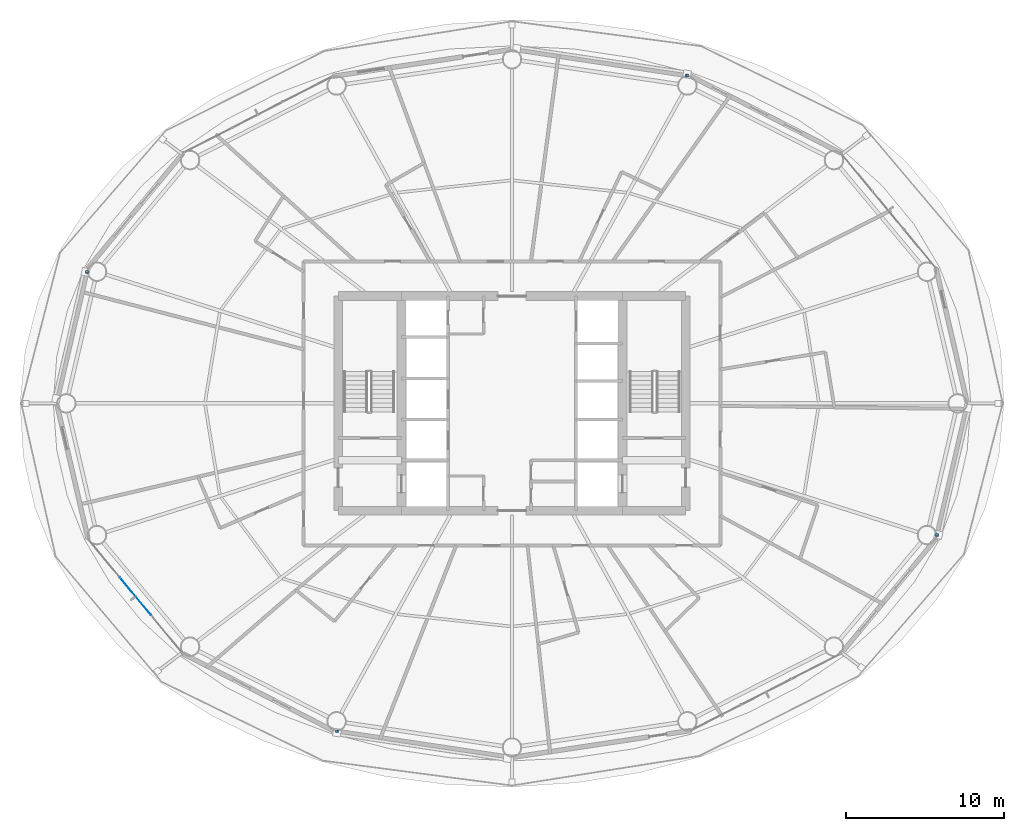
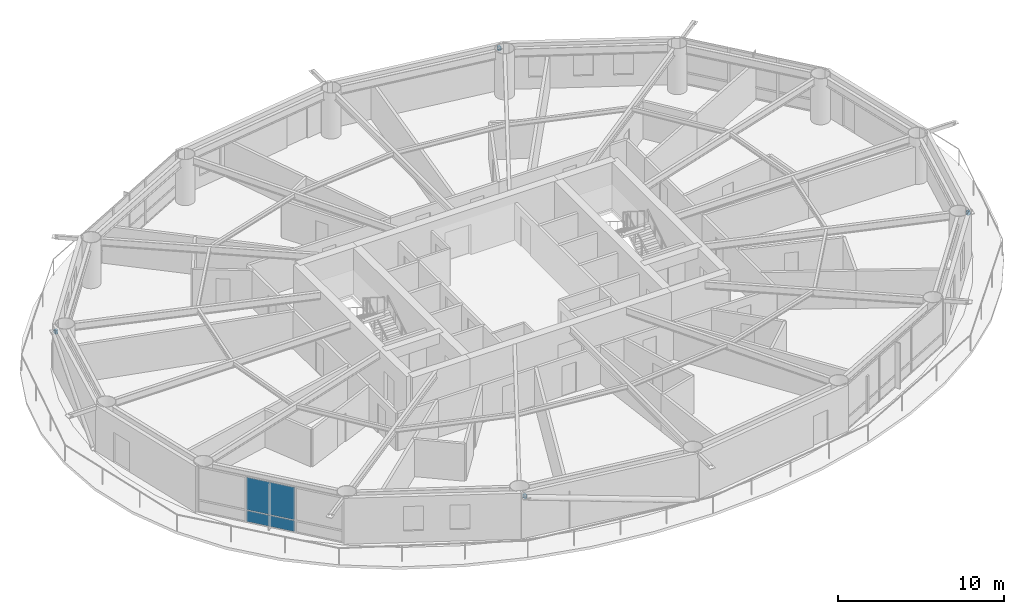
# One storey, part 13 of 24: 4 members, 2 plates, 1 element without a shape of its own.
"""IFC4 building model written with IfcOpenShell, lengths in metres."""

from ifc_helpers import new_model, si_unit, direction, frame, origin, origin_2d, place, context, subcontext, project, spatial, rectangle, hollow_rectangle, extrude, material, layer, layer_set, material_profile, profile_set, type_object, element, aggregate, save


model = new_model("IFC4")

# Units and contexts
model_context = context("Model", 3, precision=1e-05, world=origin(), true_north=direction((0.0, 1.0)))
body_context = subcontext(model_context, "Body", "Model", "MODEL_VIEW")
ifc_project = project(units=[si_unit("LENGTHUNIT", "METRE"), si_unit("AREAUNIT", "SQUARE_METRE"), si_unit("VOLUMEUNIT", "CUBIC_METRE"), si_unit("PLANEANGLEUNIT", "RADIAN"), si_unit("MASSUNIT", "GRAM", prefix="KILO")], contexts=[model_context])

# Site, building, storey
site_placement = place(None, origin())
site = spatial("IfcSite", under=ifc_project, at=site_placement, CompositionType="ELEMENT")
building_placement = place(site_placement, origin())
building = spatial("IfcBuilding", under=site, at=building_placement, Name="Sarneth Arch Tower", CompositionType="ELEMENT")
storey_placement = place(building_placement, frame((0.0, 0.0, 109.199951171875)))
storey = spatial("IfcBuildingStorey", under=building, at=storey_placement, Name="L27", CompositionType="ELEMENT", Elevation=109.199951171875)

# Members
ifc_material_1 = material(Name="Steel S355", Category="steel")
ifc_material_profile = material_profile(ifc_material_1, hollow_rectangle(XDim=0.199951171875, YDim=0.300048828125, WallThickness=0.012451171875, InnerFilletRadius=0.018798828125, OuterFilletRadius=0.03125, at=origin_2d()), Name="RHS300x200x12.5")
ifc_profile_set = profile_set([ifc_material_profile], Name="Steel S355")
member_type = type_object("IfcMemberType", Name="MEM-CANT-STRUT", PredefinedType="STRUT", material=ifc_profile_set)
member_1_placement = place(storey_placement, frame((59.09716796875, 62.680419921875, 3.012939453125), z_axis=(-0.024515790152, 0.999699442849, 0.0), x_axis=(-0.999699442849, -0.024515790152, 0.0)))
element("IfcMember", 1, at=member_1_placement, inside=storey, type_object=member_type, Name="L27 Exoskeleton brace node strut 04B", PredefinedType="STRUT", context=body_context, shape_type="SweptSolid", body=[
    extrude(hollow_rectangle(XDim=0.199951171875, YDim=0.300048828125, WallThickness=0.012451171875, InnerFilletRadius=0.018798828125, OuterFilletRadius=0.03125, at=origin_2d()), origin(), (0.0, 0.0, 1.0), 0.17919921875),
])
member_2_placement = place(storey_placement, frame((21.1689453125, 50.3330078125, 3.012939453125), z_axis=(-0.999835606602, -0.018131733798, 0.0), x_axis=(0.018131733798, -0.999835606602, 0.0)))
element("IfcMember", 2, at=member_2_placement, inside=storey, type_object=member_type, Name="L27 Exoskeleton brace node strut 08B", PredefinedType="STRUT", context=body_context, shape_type="SweptSolid", body=[
    extrude(hollow_rectangle(XDim=0.199951171875, YDim=0.300048828125, WallThickness=0.012451171875, InnerFilletRadius=0.018798828125, OuterFilletRadius=0.03125, at=origin_2d()), origin(), (0.0, 0.0, 1.0), 0.1884765625),
])
member_3_placement = place(storey_placement, frame((36.90283203125, 21.319580078125, 3.012939453125), z_axis=(0.024515790152, -0.999699442849, 0.0), x_axis=(0.999699442849, 0.024515790152, 0.0)))
element("IfcMember", 3, at=member_3_placement, inside=storey, type_object=member_type, Name="L27 Exoskeleton brace node strut 12B", PredefinedType="STRUT", context=body_context, shape_type="SweptSolid", body=[
    extrude(hollow_rectangle(XDim=0.199951171875, YDim=0.300048828125, WallThickness=0.012451171875, InnerFilletRadius=0.018798828125, OuterFilletRadius=0.03125, at=origin_2d()), origin(), (0.0, 0.0, 1.0), 0.17919921875),
])
member_4_placement = place(storey_placement, frame((74.8310546875, 33.6669921875, 3.012939453125), z_axis=(0.999835606602, 0.018131733798, 0.0), x_axis=(-0.018131733798, 0.999835606602, 0.0)))
element("IfcMember", 4, at=member_4_placement, inside=storey, type_object=member_type, Name="L27 Exoskeleton brace node strut 16B", PredefinedType="STRUT", context=body_context, shape_type="SweptSolid", body=[
    extrude(hollow_rectangle(XDim=0.199951171875, YDim=0.300048828125, WallThickness=0.012451171875, InnerFilletRadius=0.018798828125, OuterFilletRadius=0.03125, at=origin_2d()), origin(), (0.0, 0.0, 1.0), 0.1884765625),
])

# Curtain wall, plates
ifc_material_2 = material(Name="Anodised aluminium Type AA25 and solar-control low-e laminated IGU", Category="aluminium")
ifc_layer_1 = layer(ifc_material_2, 0.159912109375)
ifc_layer_set_1 = layer_set([ifc_layer_1], Name="Anodised aluminium Type AA25 and solar-control low-e laminated IGU")
curtain_wall_type = type_object("IfcCurtainWallType", Name="CW-HOTEL-MID", PredefinedType="NOTDEFINED", material=ifc_layer_set_1)
curtain_wall_placement = place(storey_placement, origin())
curtain_wall = element("IfcCurtainWall", 5, at=curtain_wall_placement, inside=storey, type_object=curtain_wall_type, Name="L27 Unitised curtain wall facet 10", PredefinedType="NOTDEFINED")
ifc_material_3 = material(Name="Solar-control low-e laminated IGU", Category="glass")
ifc_layer_2 = layer(ifc_material_3, 0.028076171875)
ifc_layer_set_2 = layer_set([ifc_layer_2], Name="Solar-control low-e laminated IGU")
plate_type = type_object("IfcPlateType", Name="CW-PANEL", PredefinedType="CURTAIN_PANEL", material=ifc_layer_set_2)
plate_1_placement = place(storey_placement, frame((24.1494140625, 29.778076171875, 0.06005859375), z_axis=(0.0, 0.0, 1.0), x_axis=(0.637515188684, -0.770437787363, 0.0)))
plate_1 = element("IfcPlate", 6, at=plate_1_placement, type_object=plate_type, Name="Curtain wall glazed vision pane CW-L27-F10/P01-00", PredefinedType="CURTAIN_PANEL", context=body_context, shape_type="SweptSolid", body=[
    extrude(rectangle(XDim=3.08837890625, YDim=0.028076171875, at=origin_2d()), origin(), (0.0, 0.0, 1.0), 0.81005859375),
])
plate_2_placement = place(storey_placement, frame((24.1494140625, 29.778076171875, 0.93017578125), z_axis=(0.0, 0.0, 1.0), x_axis=(0.637515188684, -0.770437787363, 0.0)))
plate_2 = element("IfcPlate", 7, at=plate_2_placement, type_object=plate_type, Name="Curtain wall glazed vision pane CW-L27-F10/P01-01", PredefinedType="CURTAIN_PANEL", context=body_context, shape_type="SweptSolid", body=[
    extrude(rectangle(XDim=3.08837890625, YDim=0.028076171875, at=origin_2d()), origin(), (0.0, 0.0, 1.0), 2.389892578125),
])
aggregate(curtain_wall, [plate_1, plate_2])

save(model, "model.ifc")
